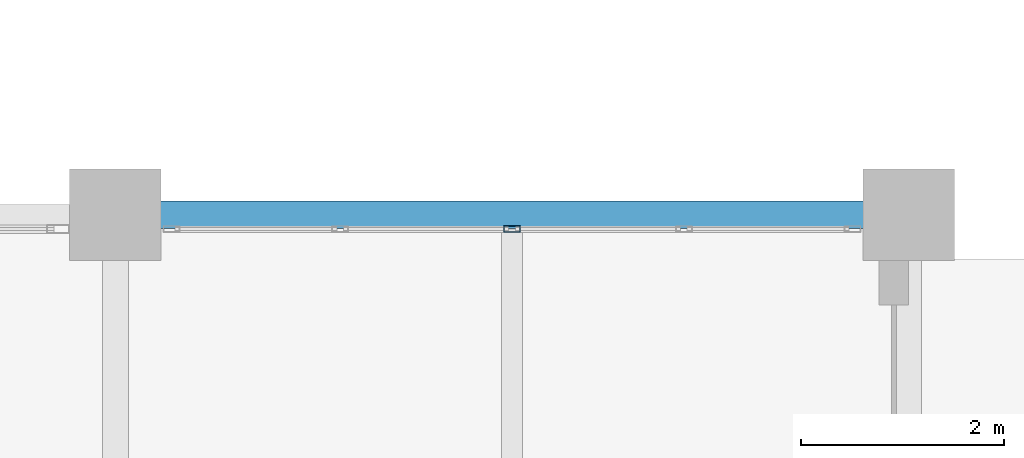
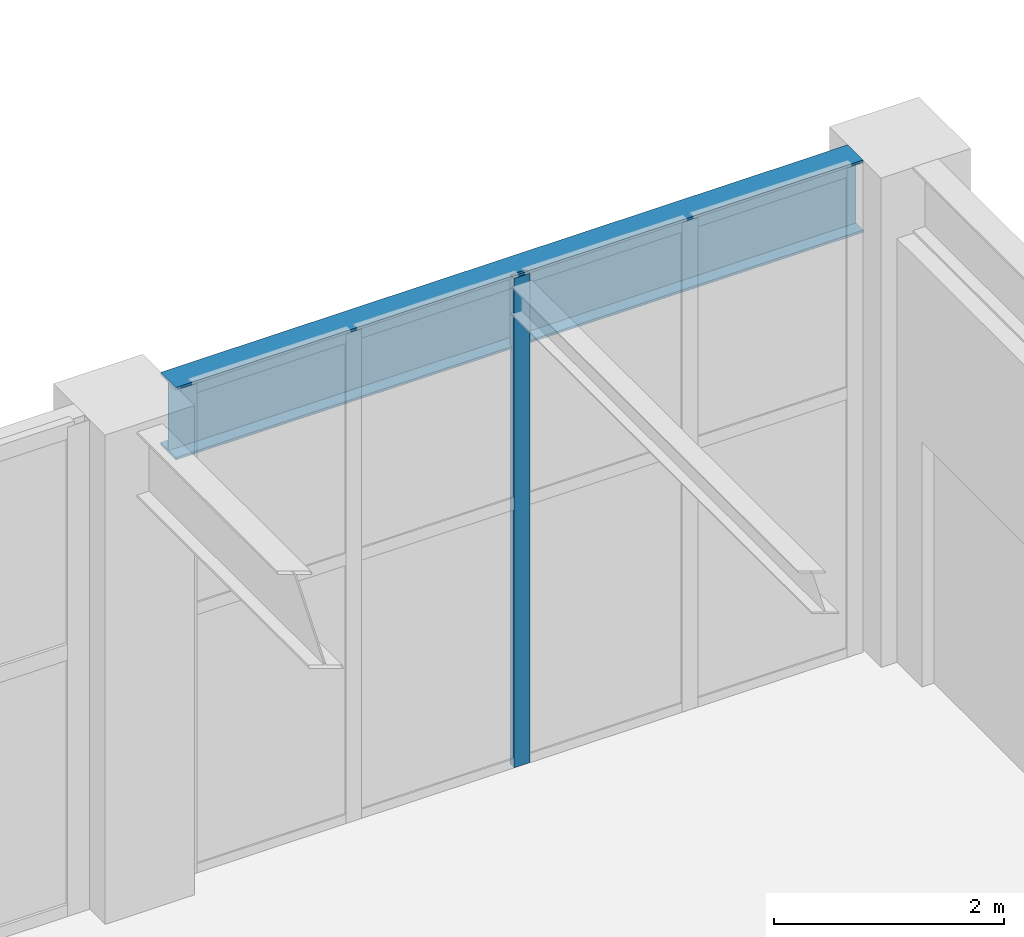
# One storey, part 90 of 139: 1 beam, 1 member, 1 element without a shape of its own.
"""IFC4 building model written with IfcOpenShell, lengths in metres."""

from ifc_helpers import new_model, si_unit, direction, frame, origin, origin_2d, place, context, subcontext, project, spatial, hollow_rectangle, i_section, extrude, material, layer, layer_set, material_profile, profile_set, type_object, element, aggregate, save


model = new_model("IFC4")

# Units and contexts
model_context = context("Model", 3, precision=1e-05, world=origin(), true_north=direction((0.0, 1.0)))
body_context = subcontext(model_context, "Body", "Model", "MODEL_VIEW")
ifc_project = project(units=[si_unit("LENGTHUNIT", "METRE"), si_unit("AREAUNIT", "SQUARE_METRE"), si_unit("VOLUMEUNIT", "CUBIC_METRE"), si_unit("PLANEANGLEUNIT", "RADIAN"), si_unit("MASSUNIT", "GRAM", prefix="KILO")], contexts=[model_context])

# Site, building, storey
site_placement = place(None, origin())
site = spatial("IfcSite", under=ifc_project, at=site_placement, CompositionType="ELEMENT")
building_placement = place(site_placement, origin())
building = spatial("IfcBuilding", under=site, at=building_placement, Name="Xicomal Pleat Aquarium", CompositionType="ELEMENT")
storey_placement = place(building_placement, origin())
storey = spatial("IfcBuildingStorey", under=building, at=storey_placement, Name="L01", CompositionType="ELEMENT", Elevation=0.0)

# Beam
ifc_material_1 = material(Name="Structural steel A992 Gr 50", Category="steel")
ifc_material_profile_1 = material_profile(ifc_material_1, i_section(OverallWidth=0.26806640625, OverallDepth=0.77001953125, WebThickness=0.015625, FlangeThickness=0.025390625, at=origin_2d()), Name="IR 760x196")
ifc_profile_set_1 = profile_set([ifc_material_profile_1], Name="Structural steel A992 Gr 50")
beam_type = type_object("IfcBeamType", Name="BM-STL-IR760", PredefinedType="BEAM", material=ifc_profile_set_1)
beam_placement = place(storey_placement, frame((157.64501953125, 38.0, 4.81494140625), z_axis=(1.0, 0.0, 0.0), x_axis=(0.0, 1.0, 0.0)))
element("IfcBeam", 1, at=beam_placement, inside=storey, type_object=beam_type, Name="L01 framing beam FGX-L01-20-21-F", PredefinedType="BEAM", context=body_context, shape_type="SweptSolid", body=[
    extrude(i_section(OverallWidth=0.26806640625, OverallDepth=0.77001953125, WebThickness=0.015625, FlangeThickness=0.025390625, at=origin_2d()), origin(), (0.0, 0.0, 1.0), 6.909912109375),
])

# Curtain wall, member
ifc_material_2 = material(Name="Bronze anodized aluminium 6063-T6", Category="aluminium")
ifc_layer = layer(ifc_material_2, 0.159912109375)
ifc_layer_set = layer_set([ifc_layer], Name="Bronze anodized aluminium 6063-T6")
curtain_wall_type = type_object("IfcCurtainWallType", Name="CW-SYS-01", PredefinedType="NOTDEFINED", material=ifc_layer_set)
curtain_wall_placement = place(storey_placement, origin())
curtain_wall = element("IfcCurtainWall", 2, at=curtain_wall_placement, inside=storey, type_object=curtain_wall_type, Name="L01 unitised curtain wall CW-L01-057", PredefinedType="NOTDEFINED")
ifc_material_3 = material(Name="Bronze anodized aluminium 6063-T6", Category="aluminium")
ifc_material_profile_2 = material_profile(ifc_material_3, hollow_rectangle(XDim=0.06494140625, YDim=0.159912109375, WallThickness=0.00390625, at=origin_2d()), Name="ALU MULL 65x160")
ifc_profile_set_2 = profile_set([ifc_material_profile_2], Name="Bronze anodized aluminium 6063-T6")
member_type = type_object("IfcMemberType", Name="CWM-65x160", PredefinedType="MULLION", material=ifc_profile_set_2)
member_placement = place(storey_placement, frame((161.10009765625, 37.860107421875, 0.0), z_axis=(0.0, 0.0, 1.0), x_axis=(0.0, 1.0, 0.0)))
member = element("IfcMember", 3, at=member_placement, type_object=member_type, Name="CW-01 mullion 3", PredefinedType="MULLION", context=body_context, shape_type="SweptSolid", body=[
    extrude(hollow_rectangle(XDim=0.06494140625, YDim=0.159912109375, WallThickness=0.00390625, at=origin_2d()), origin(), (0.0, 0.0, 1.0), 5.199951171875),
])
aggregate(curtain_wall, [member])

save(model, "model.ifc")
